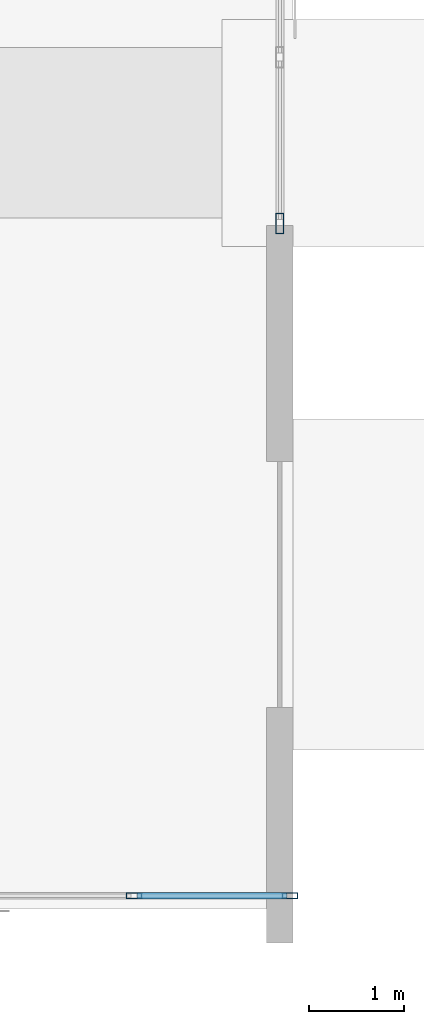
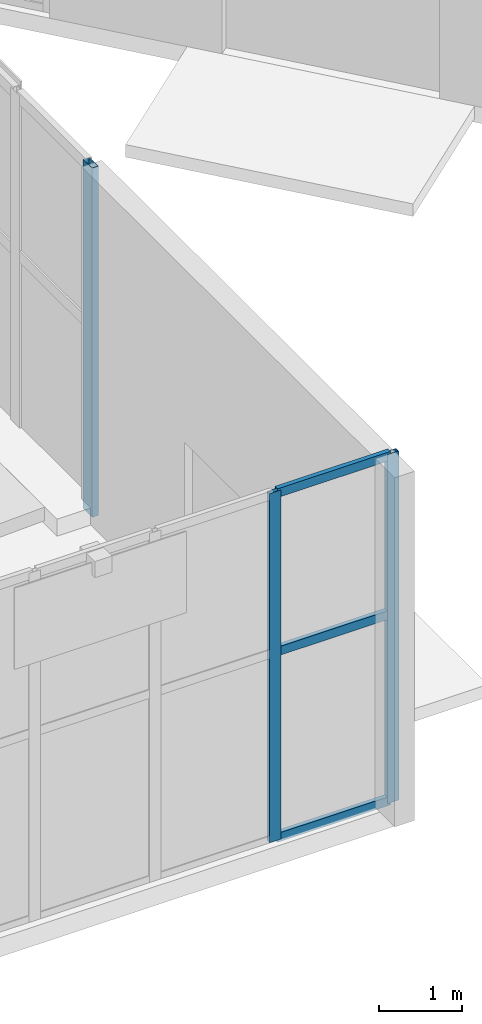
# One storey, part 12 of 139: 6 members, 2 elements without a shape of their own.
"""IFC4 building model written with IfcOpenShell, lengths in metres."""

from ifc_helpers import new_model, si_unit, direction, frame, origin, origin_2d, place, context, subcontext, project, spatial, hollow_rectangle, extrude, material, layer, layer_set, material_profile, profile_set, type_object, element, aggregate, save


model = new_model("IFC4")

# Units and contexts
model_context = context("Model", 3, precision=1e-05, world=origin(), true_north=direction((0.0, 1.0)))
body_context = subcontext(model_context, "Body", "Model", "MODEL_VIEW")
ifc_project = project(units=[si_unit("LENGTHUNIT", "METRE"), si_unit("AREAUNIT", "SQUARE_METRE"), si_unit("VOLUMEUNIT", "CUBIC_METRE"), si_unit("PLANEANGLEUNIT", "RADIAN"), si_unit("MASSUNIT", "GRAM", prefix="KILO")], contexts=[model_context])

# Site, building, storey
site_placement = place(None, origin())
site = spatial("IfcSite", under=ifc_project, at=site_placement, CompositionType="ELEMENT")
building_placement = place(site_placement, origin())
building = spatial("IfcBuilding", under=site, at=building_placement, Name="Xicomal Pleat Aquarium", CompositionType="ELEMENT")
storey_placement = place(building_placement, origin())
storey = spatial("IfcBuildingStorey", under=building, at=storey_placement, Name="L01", CompositionType="ELEMENT", Elevation=0.0)

# Curtain wall, members
ifc_material_1 = material(Name="Bronze anodized aluminium 6063-T6", Category="aluminium")
ifc_layer_1 = layer(ifc_material_1, 0.159912109375)
ifc_layer_set_1 = layer_set([ifc_layer_1], Name="Bronze anodized aluminium 6063-T6")
curtain_wall_type_1 = type_object("IfcCurtainWallType", Name="CW-SYS-01", PredefinedType="NOTDEFINED", material=ifc_layer_set_1)
curtain_wall_1_placement = place(storey_placement, origin())
curtain_wall_1 = element("IfcCurtainWall", 1, at=curtain_wall_1_placement, inside=storey, type_object=curtain_wall_type_1, Name="L01 unitised curtain wall CW-L01-006", PredefinedType="NOTDEFINED")
ifc_material_2 = material(Name="Bronze anodized aluminium 6063-T6", Category="aluminium")
ifc_material_profile_1 = material_profile(ifc_material_2, hollow_rectangle(XDim=0.06494140625, YDim=0.159912109375, WallThickness=0.00390625, at=origin_2d()), Name="ALU MULL 65x160")
ifc_profile_set_1 = profile_set([ifc_material_profile_1], Name="Bronze anodized aluminium 6063-T6")
member_type_1 = type_object("IfcMemberType", Name="CWM-65x160", PredefinedType="MULLION", material=ifc_profile_set_1)
member_1_placement = place(storey_placement, frame((52.16748046875, 0.93994140625, 0.0), z_axis=(0.0, 0.0, 1.0), x_axis=(0.0, -1.0, 0.0)))
member_1 = element("IfcMember", 2, at=member_1_placement, type_object=member_type_1, Name="CW-01 mullion 1", PredefinedType="MULLION", context=body_context, shape_type="SweptSolid", body=[
    extrude(hollow_rectangle(XDim=0.06494140625, YDim=0.159912109375, WallThickness=0.00390625, at=origin_2d()), origin(), (0.0, 0.0, 1.0), 5.159912109375),
])
member_2_placement = place(storey_placement, frame((50.52001953125, 0.93994140625, 0.0), z_axis=(0.0, 0.0, 1.0), x_axis=(0.0, -1.0, 0.0)))
member_2 = element("IfcMember", 3, at=member_2_placement, type_object=member_type_1, Name="CW-01 mullion 2", PredefinedType="MULLION", context=body_context, shape_type="SweptSolid", body=[
    extrude(hollow_rectangle(XDim=0.06494140625, YDim=0.159912109375, WallThickness=0.00390625, at=origin_2d()), origin(), (0.0, 0.0, 1.0), 5.159912109375),
])

# Curtain wall, member
ifc_material_3 = material(Name="Bronze anodized aluminium 6063-T6", Category="aluminium")
ifc_layer_2 = layer(ifc_material_3, 0.159912109375)
ifc_layer_set_2 = layer_set([ifc_layer_2], Name="Bronze anodized aluminium 6063-T6")
curtain_wall_type_2 = type_object("IfcCurtainWallType", Name="CW-SYS-11", PredefinedType="NOTDEFINED", material=ifc_layer_set_2)
curtain_wall_2_placement = place(storey_placement, origin())
curtain_wall_2 = element("IfcCurtainWall", 4, at=curtain_wall_2_placement, inside=storey, type_object=curtain_wall_type_2, Name="L01 unitised curtain wall CW-L01-005", PredefinedType="NOTDEFINED")
ifc_material_4 = material(Name="Bronze anodized aluminium 6063-T6", Category="aluminium")
ifc_material_profile_2 = material_profile(ifc_material_4, hollow_rectangle(XDim=0.0849609375, YDim=0.219970703125, WallThickness=0.0048828125, at=origin_2d()), Name="ALU MULL 85x220")
ifc_profile_set_2 = profile_set([ifc_material_profile_2], Name="Bronze anodized aluminium 6063-T6")
member_type_2 = type_object("IfcMemberType", Name="CWM-85x220", PredefinedType="MULLION", material=ifc_profile_set_2)
member_3_placement = place(storey_placement, frame((52.06005859375, 8.04248046875, 0.0), z_axis=(0.0, 0.0, 1.0), x_axis=(1.0, 0.0, 0.0)))
member_3 = element("IfcMember", 5, at=member_3_placement, type_object=member_type_2, Name="CW-11 mullion 5", PredefinedType="MULLION", context=body_context, shape_type="SweptSolid", body=[
    extrude(hollow_rectangle(XDim=0.0849609375, YDim=0.219970703125, WallThickness=0.0048828125, at=origin_2d()), origin(), (0.0, 0.0, 1.0), 5.159912109375),
])
aggregate(curtain_wall_2, [member_3])

# Member
ifc_material_5 = material(Name="Bronze anodized aluminium 6063-T6", Category="aluminium")
ifc_material_profile_3 = material_profile(ifc_material_5, hollow_rectangle(XDim=0.06494140625, YDim=0.1298828125, WallThickness=0.00390625, at=origin_2d()), Name="ALU TRAN 65x130")
ifc_profile_set_3 = profile_set([ifc_material_profile_3], Name="Bronze anodized aluminium 6063-T6")
member_type_3 = type_object("IfcMemberType", Name="CWT-65x130", PredefinedType="USERDEFINED", material=ifc_profile_set_3)
member_4_placement = place(storey_placement, frame((52.135009765625, 0.93994140625, 0.032470703125), z_axis=(-1.0, 0.0, 0.0), x_axis=(0.0, -1.0, 0.0)))
member_4 = element("IfcMember", 6, at=member_4_placement, type_object=member_type_3, Name="CW-01 transom 1.1", ObjectType="TRANSOM", PredefinedType="USERDEFINED", context=body_context, shape_type="SweptSolid", body=[
    extrude(hollow_rectangle(XDim=0.06494140625, YDim=0.1298828125, WallThickness=0.00390625, at=origin_2d()), origin(), (0.0, 0.0, 1.0), 1.58251953125),
])

member_5_placement = place(storey_placement, frame((52.135009765625, 0.93994140625, 2.785888671875), z_axis=(-1.0, 0.0, 0.0), x_axis=(0.0, -1.0, 0.0)))
member_5 = element("IfcMember", 7, at=member_5_placement, type_object=member_type_3, Name="CW-01 transom 1.2", ObjectType="TRANSOM", PredefinedType="USERDEFINED", context=body_context, shape_type="SweptSolid", body=[
    extrude(hollow_rectangle(XDim=0.06494140625, YDim=0.1298828125, WallThickness=0.00390625, at=origin_2d()), origin(), (0.0, 0.0, 1.0), 1.58251953125),
])

member_6_placement = place(storey_placement, frame((52.135009765625, 0.93994140625, 5.12744140625), z_axis=(-1.0, 0.0, 0.0), x_axis=(0.0, -1.0, 0.0)))
member_6 = element("IfcMember", 8, at=member_6_placement, type_object=member_type_3, Name="CW-01 transom 1.3", ObjectType="TRANSOM", PredefinedType="USERDEFINED", context=body_context, shape_type="SweptSolid", body=[
    extrude(hollow_rectangle(XDim=0.06494140625, YDim=0.1298828125, WallThickness=0.00390625, at=origin_2d()), origin(), (0.0, 0.0, 1.0), 1.58251953125),
])

aggregate(curtain_wall_1, [member_1, member_2, member_4, member_5, member_6])

save(model, "model.ifc")
